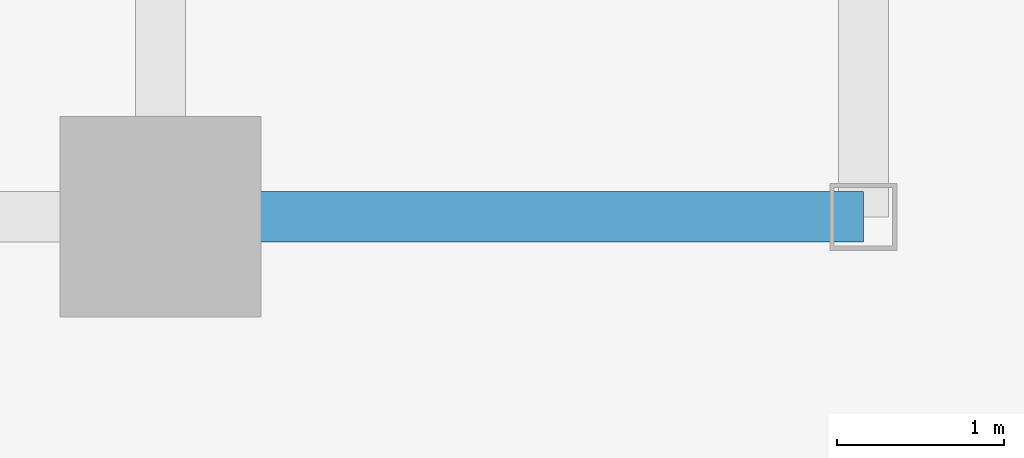
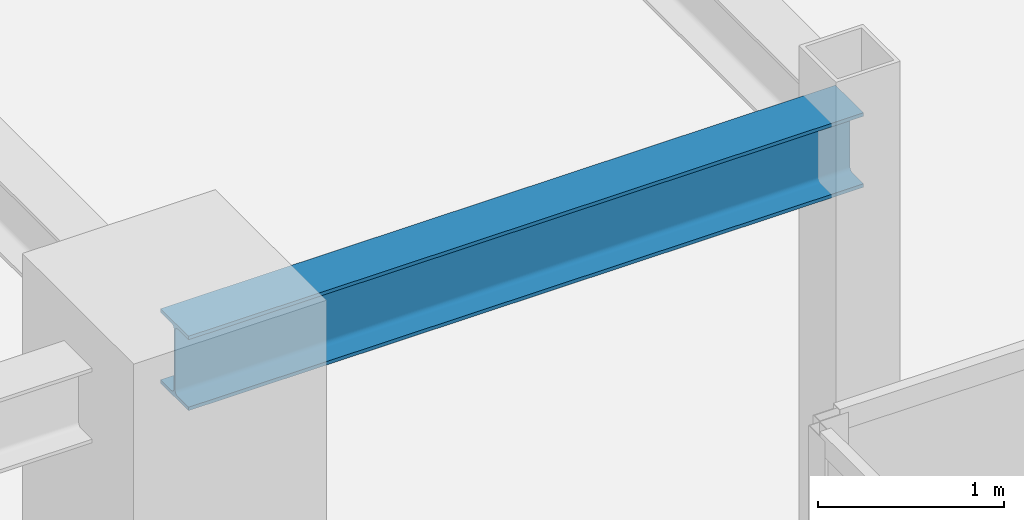
# One storey, part 7 of 25: 1 beam.
"""IFC4 building model written with IfcOpenShell, lengths in metres."""

import ifcopenshell
import ifcopenshell.guid

model = None  # the IFC model being written
_history = None  # IfcOwnerHistory: only IFC2X3 demands one
_inside = {}  # id of a spatial element -> (the spatial element, [elements in it])
_under = {}  # id of a project, library or spatial element -> (it, [spatial elements below it])
_declared = {}  # id of a project -> (the project, [libraries it declares])
_typed = {}  # id of a type object -> (the type object, [elements of that type])
_made_of = {}  # id of a material, layer set ... -> (it, [elements and type objects made of it])


def new_model(schema):
    """Start an empty IFC model of exactly this schema.

    Asked for "IFC4X3", IfcOpenShell would pick the latest addendum, in which some entities
    have other attributes; the version numbers below select the first issue.
    IFC2X3 requires an IfcOwnerHistory on every rooted entity: one is made here for all.
    """
    global model, _history
    if schema == "IFC4X3":
        model = ifcopenshell.file(schema_version=(4, 3, 0, 0))
    else:
        model = ifcopenshell.file(schema=schema)
    _inside.clear()
    _under.clear()
    _declared.clear()
    _typed.clear()
    _made_of.clear()
    _history = None
    if model.schema == "IFC2X3":
        org = make("IfcOrganization", Name="unknown")
        user = make(
            "IfcPersonAndOrganization",
            ThePerson=make("IfcPerson", FamilyName="unknown"),
            TheOrganization=org,
        )
        app = make(
            "IfcApplication",
            ApplicationDeveloper=org,
            Version="unknown",
            ApplicationFullName="unknown",
            ApplicationIdentifier="unknown",
        )
        _history = make(
            "IfcOwnerHistory",
            OwningUser=user,
            OwningApplication=app,
            ChangeAction="ADDED",
            CreationDate=0,
        )
    return model


def make(cls, **values):
    """One entity of the class cls with the attributes given. An attribute that is None is left unset."""
    return model.create_entity(
        cls, **{name: value for name, value in values.items() if value is not None}
    )


def rooted(cls, **values):
    """An entity with a GlobalId (a new one), such as an element, a storey or a relation."""
    return make(cls, GlobalId=ifcopenshell.guid.new(), OwnerHistory=_history, **values)


def si_unit(unit_type, name, prefix=None):
    """IfcSIUnit, for example si_unit("LENGTHUNIT", "METRE", prefix="MILLI")."""
    return make("IfcSIUnit", UnitType=unit_type, Prefix=prefix, Name=name)


def assignment(units):
    """IfcUnitAssignment: the units of a project."""
    return None if units is None else make("IfcUnitAssignment", Units=units)


def point(xyz):
    """IfcCartesianPoint."""
    return None if xyz is None else make("IfcCartesianPoint", Coordinates=xyz)


def direction(xyz):
    """IfcDirection."""
    return None if xyz is None else make("IfcDirection", DirectionRatios=xyz)


def frame(location, z_axis=None, x_axis=None):
    """IfcAxis2Placement3D, a coordinate frame: its origin and axes. An axis left out is left unset."""
    return make(
        "IfcAxis2Placement3D",
        Location=point(location),
        Axis=direction(z_axis),
        RefDirection=direction(x_axis),
    )


def frame_2d(location, x_axis=None):
    """IfcAxis2Placement2D, a coordinate frame in the plane: its origin and x axis."""
    return make(
        "IfcAxis2Placement2D", Location=point(location), RefDirection=direction(x_axis)
    )


def origin():
    """The frame at (0, 0, 0) with its axes left unset."""
    return frame((0.0, 0.0, 0.0))


def origin_2d():
    """The frame at (0, 0) in the plane with its x axis left unset."""
    return frame_2d((0.0, 0.0))


def place(relative_to, where):
    """IfcLocalPlacement: puts the frame where relative to a parent placement (None: the world)."""
    return make(
        "IfcLocalPlacement", PlacementRelTo=relative_to, RelativePlacement=where
    )


def context(
    kind, dimensions, precision=None, world=None, true_north=None, identifier=None
):
    """IfcGeometricRepresentationContext, for example the 3D "Model" context."""
    return make(
        "IfcGeometricRepresentationContext",
        ContextIdentifier=identifier,
        ContextType=kind,
        CoordinateSpaceDimension=dimensions,
        Precision=precision,
        WorldCoordinateSystem=world,
        TrueNorth=true_north,
    )


def subcontext(parent, identifier, kind, view, scale=None):
    """IfcGeometricRepresentationSubContext, for example "Body" below "Model"."""
    return make(
        "IfcGeometricRepresentationSubContext",
        ContextIdentifier=identifier,
        ContextType=kind,
        ParentContext=parent,
        TargetScale=scale,
        TargetView=view,
    )


def project(units=None, contexts=None):
    """IfcProject with its units and contexts."""
    return rooted(
        "IfcProject",
        Name="project",
        RepresentationContexts=contexts,
        UnitsInContext=assignment(units),
    )


def spatial(cls, under=None, at=None, **own):
    """A site, building, storey or space (cls), placed at a placement, below another one or the project."""
    s = rooted(cls, ObjectPlacement=at, **own)
    if under is not None:
        _under.setdefault(under.id(), (under, []))[1].append(s)
    return s


def profile(cls, at=None, kind="AREA", **sizes):
    """A parametric profile (cls). Its sizes go by their IFC names, for example OverallWidth=200.0."""
    return make(cls, ProfileType=kind, Position=at, **sizes)


def i_section(**sizes):
    """IfcIShapeProfileDef."""
    return profile("IfcIShapeProfileDef", **sizes)


def extrude(swept, where, along, depth):
    """IfcExtrudedAreaSolid: the profile swept, set in the frame where, extruded along a direction by depth."""
    return make(
        "IfcExtrudedAreaSolid",
        SweptArea=swept,
        Position=where,
        ExtrudedDirection=direction(along),
        Depth=depth,
    )


def shape(context_of_items, identifier, shape_type, items):
    """IfcShapeRepresentation: the items that make up one representation, for example the "Body"."""
    return make(
        "IfcShapeRepresentation",
        ContextOfItems=context_of_items,
        RepresentationIdentifier=identifier,
        RepresentationType=shape_type,
        Items=items,
    )


def source(mapping_origin, context_of_items, identifier, shape_type, items):
    """IfcRepresentationMap: a shape defined once, which mapped items show again and again."""
    return make(
        "IfcRepresentationMap",
        MappingOrigin=mapping_origin,
        MappedRepresentation=shape(context_of_items, identifier, shape_type, items),
    )


def transform(
    local_origin,
    x_axis=None,
    y_axis=None,
    z_axis=None,
    scale=None,
    scale2=None,
    scale3=None,
    uniform=True,
):
    """IfcCartesianTransformationOperator3D, or its non-uniform kind. x_axis, y_axis, z_axis: its Axis1, 2, 3."""
    if uniform:
        return make(
            "IfcCartesianTransformationOperator3D",
            Axis1=direction(x_axis),
            Axis2=direction(y_axis),
            LocalOrigin=point(local_origin),
            Scale=scale,
            Axis3=direction(z_axis),
        )
    return make(
        "IfcCartesianTransformationOperator3DnonUniform",
        Axis1=direction(x_axis),
        Axis2=direction(y_axis),
        LocalOrigin=point(local_origin),
        Scale=scale,
        Axis3=direction(z_axis),
        Scale2=scale2,
        Scale3=scale3,
    )


def mapped(mapping_source, mapping_target):
    """IfcMappedItem: shows the shape of a source again, moved by a transform."""
    return make(
        "IfcMappedItem", MappingSource=mapping_source, MappingTarget=mapping_target
    )


def material(Name=None, Category=None):
    """IfcMaterial."""
    return make("IfcMaterial", Name=Name, Category=Category)


def material_profile(
    of_material, cross_section, Name=None, Category=None, Priority=None
):
    """IfcMaterialProfile: a cross section and its material."""
    return make(
        "IfcMaterialProfile",
        Name=Name,
        Material=of_material,
        Profile=cross_section,
        Priority=Priority,
        Category=Category,
    )


def profile_set(profiles, Name=None, composite=None):
    """IfcMaterialProfileSet."""
    return make(
        "IfcMaterialProfileSet",
        Name=Name,
        MaterialProfiles=profiles,
        CompositeProfile=composite,
    )


def made_of(thing, what):
    """Note that an element or type object is made of a material, layer set ...; save() writes the relation."""
    if what is not None:
        _made_of.setdefault(what.id(), (what, []))[1].append(thing)
    return thing


def type_object(cls, material=None, **own):
    """A type object (cls), such as IfcWallType, which elements share."""
    return made_of(rooted(cls, **own), material)


def type_shapes(of_type, sources):
    """Give a type object the sources (RepresentationMaps) that its elements show as mapped items."""
    of_type.RepresentationMaps = sources


def element(
    cls,
    number,
    at=None,
    inside=None,
    cuts=None,
    type_object=None,
    material=None,
    context=None,
    identifier="Body",
    shape_type=None,
    held_by="IfcProductDefinitionShape",
    body=None,
    shapes=None,
    **own,
):
    """One element of the class cls, such as IfcWall. Its Tag is "e" and its number.

    at: its placement. inside: the storey or other place that contains it. cuts: it is an
    opening in that element (IfcRelVoidsElement). A single representation is given by context,
    identifier, shape_type and body (its items); several are given by shapes. held_by: the class
    of the entity that holds the representations. save() writes the other relations.
    """
    e = rooted(cls, Tag="e%d" % number, ObjectPlacement=at, **own)
    if body is not None:
        shapes = [shape(context, identifier, shape_type, body)]
    if shapes is not None:
        e.Representation = make(held_by, Representations=shapes)
    if inside is not None:
        _inside.setdefault(inside.id(), (inside, []))[1].append(e)
    if cuts is not None:
        rooted(
            "IfcRelVoidsElement", RelatingBuildingElement=cuts, RelatedOpeningElement=e
        )
    if type_object is not None:
        _typed.setdefault(type_object.id(), (type_object, []))[1].append(e)
    return made_of(e, material)


def aggregate(whole, parts):
    """IfcRelAggregates: a whole, such as a stair, and the parts it consists of."""
    return rooted("IfcRelAggregates", RelatingObject=whole, RelatedObjects=parts)


def save(model, path):
    """Write the relations noted so far, then the file.

    IfcRelAggregates (storeys below a building ...), IfcRelContainedInSpatialStructure (elements
    in a storey), IfcRelDefinesByType, IfcRelAssociatesMaterial and IfcRelDeclares: one each for
    every whole, place, type object, material and project.
    """
    for whole, parts in _under.values():
        aggregate(whole, parts)
    for where, things in _inside.values():
        rooted(
            "IfcRelContainedInSpatialStructure",
            RelatedElements=things,
            RelatingStructure=where,
        )
    for kind, things in _typed.values():
        rooted("IfcRelDefinesByType", RelatedObjects=things, RelatingType=kind)
    for what, things in _made_of.values():
        rooted("IfcRelAssociatesMaterial", RelatedObjects=things, RelatingMaterial=what)
    for by, libraries in _declared.values():
        rooted("IfcRelDeclares", RelatingContext=by, RelatedDefinitions=libraries)
    model.write(path)


model = new_model("IFC4")

# Units and contexts
model_context = context("Model", 3, precision=1e-05, world=origin(), true_north=direction((0.0, 1.0)))
body_context = subcontext(model_context, "Body", "Model", "MODEL_VIEW")
ifc_project = project(units=[si_unit("LENGTHUNIT", "METRE"), si_unit("AREAUNIT", "SQUARE_METRE"), si_unit("VOLUMEUNIT", "CUBIC_METRE"), si_unit("PLANEANGLEUNIT", "RADIAN"), si_unit("MASSUNIT", "GRAM", prefix="KILO")], contexts=[model_context])

# Site, building, storey
site_placement = place(None, origin())
site = spatial("IfcSite", under=ifc_project, at=site_placement, CompositionType="ELEMENT")
building_placement = place(site_placement, origin())
building = spatial("IfcBuilding", under=site, at=building_placement, Name="Krantzveldt Concourse Tower", CompositionType="ELEMENT")
storey_placement = place(building_placement, frame((0.0, 0.0, 367.050048828125)))
storey = spatial("IfcBuildingStorey", under=building, at=storey_placement, Name="L90", CompositionType="ELEMENT", Elevation=367.050048828125)

# Beam
ifc_material = material(Name="Steel S355JR", Category="steel")
ifc_material_profile = material_profile(ifc_material, i_section(OverallWidth=0.300048828125, OverallDepth=0.489990234375, WebThickness=0.011962890625, FlangeThickness=0.02294921875, FilletRadius=0.027099609375, at=origin_2d()), Name="Steel S355JR", Category="steel")
ifc_profile_set = profile_set([ifc_material_profile], Name="Steel S355JR - HEA 500")
beam_type = type_object("IfcBeamType", Name="BM-B-HEA500", PredefinedType="BEAM", material=ifc_profile_set)
shared_shape = source(origin(), body_context, "Body", "SweptSolid", [
    extrude(i_section(OverallWidth=0.300048828125, OverallDepth=0.489990234375, WebThickness=0.011962890625, FlangeThickness=0.02294921875, FilletRadius=0.027099609375, at=origin_2d()), origin(), (0.0, 0.0, 1.0), 4.199951171875),
])
type_shapes(beam_type, [shared_shape])
beam_placement = place(storey_placement, frame((51.0, 15.89990234375, 3.2548828125), z_axis=(-1.0, 0.0, 0.0), x_axis=(0.0, -1.0, 0.0)))
element("IfcBeam", 1, at=beam_placement, inside=storey, type_object=beam_type, Name="L90 Crown Girder EAST-6", PredefinedType="BEAM", context=body_context, shape_type="MappedRepresentation", body=[
    mapped(shared_shape, transform((0.0, 0.0, 0.0), x_axis=(1.0, 0.0, 0.0), y_axis=(0.0, 1.0, 0.0), z_axis=(0.0, 0.0, 1.0), scale=1.0)),
])

save(model, "model.ifc")
